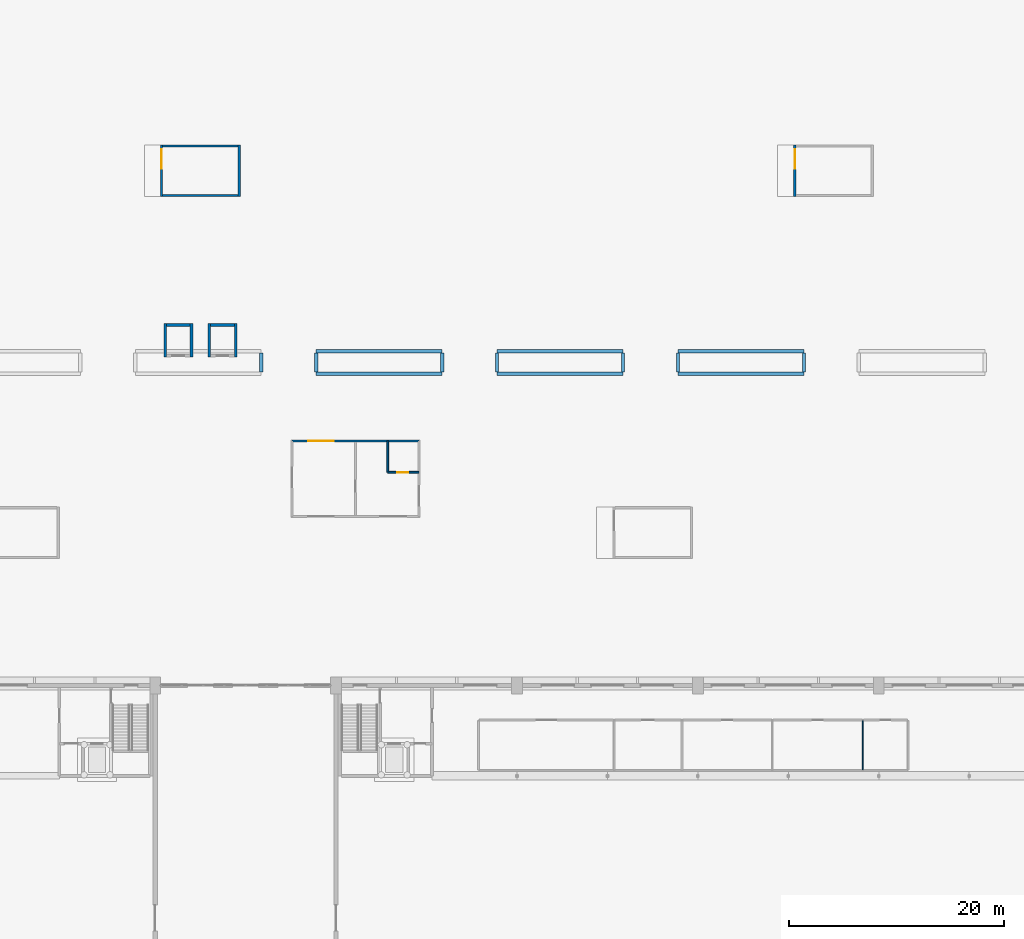
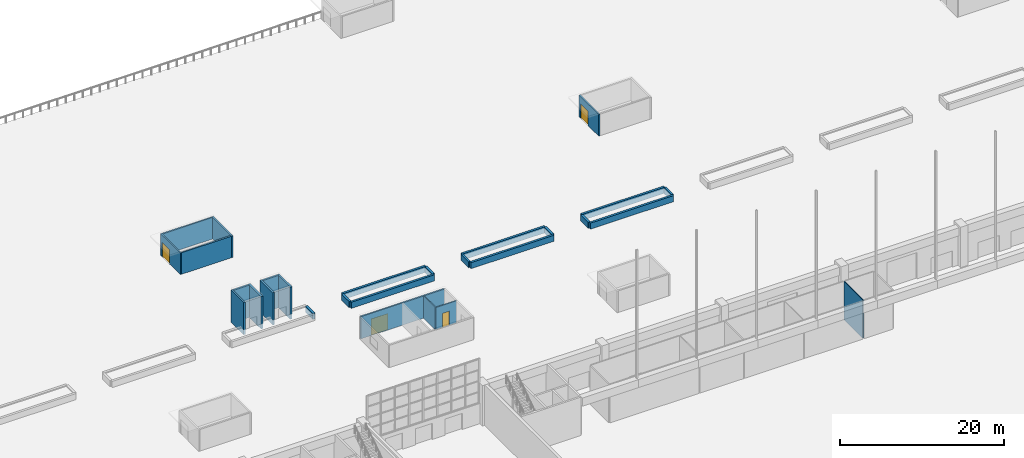
# One storey, part 121 of 210: 28 walls, 4 doors, 4 openings.
"""IFC4 building model written with IfcOpenShell, lengths in metres."""

from ifc_helpers import new_model, si_unit, direction, frame, frame_2d, origin, place, context, subcontext, project, spatial, rectangle, extrude, material, layer, layer_set, type_object, element, fill, save


model = new_model("IFC4")

# Units and contexts
model_context = context("Model", 3, precision=1e-05, world=origin(), true_north=direction((0.0, 1.0)))
body_context = subcontext(model_context, "Body", "Model", "MODEL_VIEW")
ifc_project = project(units=[si_unit("LENGTHUNIT", "METRE"), si_unit("AREAUNIT", "SQUARE_METRE"), si_unit("VOLUMEUNIT", "CUBIC_METRE"), si_unit("PLANEANGLEUNIT", "RADIAN"), si_unit("MASSUNIT", "GRAM", prefix="KILO")], contexts=[model_context])

# Site, building, storey
site_placement = place(None, origin())
site = spatial("IfcSite", under=ifc_project, at=site_placement, CompositionType="ELEMENT")
building_placement = place(site_placement, origin())
building = spatial("IfcBuilding", under=site, at=building_placement, Name="Rain Tree Exposition and Congress Centre", CompositionType="ELEMENT")
storey_placement = place(building_placement, origin())
storey = spatial("IfcBuildingStorey", under=building, at=storey_placement, Name="L00", CompositionType="ELEMENT", Elevation=0.0)

# Wall, opening, door
ifc_material_1 = material(Name="Concrete C40/50", Category="concrete")
ifc_layer_1 = layer(ifc_material_1, 0.199951171875)
ifc_layer_set_1 = layer_set([ifc_layer_1], Name="Concrete C40/50")
wall_type_1 = type_object("IfcWallType", Name="Control office wall 200", PredefinedType="SOLIDWALL", material=ifc_layer_set_1)
wall_1_placement = place(storey_placement, frame((138.699951171875, 224.300048828125, 0.0), z_axis=(0.0, 0.0, 1.0), x_axis=(1.0, 0.0, 0.0)))
wall_1 = element("IfcWall", 1, at=wall_1_placement, inside=storey, type_object=wall_type_1, Name="Control office north wall", PredefinedType="SOLIDWALL", context=body_context, shape_type="SweptSolid", body=[
    extrude(rectangle(XDim=11.800048828125, YDim=0.199951171875, at=frame_2d((5.89990234375, 0.0))), origin(), (0.0, 0.0, 1.0), 3.300048828125),
])
opening_1_placement = place(wall_1_placement, frame((1.5, 0.0, 0.0)))
opening_1 = element("IfcOpeningElement", 2, at=opening_1_placement, cuts=wall_1, Name="Opening DS813", PredefinedType="OPENING", context=body_context, shape_type="SweptSolid", body=[
    extrude(rectangle(XDim=2.39990234375, YDim=2.39990234375, at=frame_2d((1.199951171875, 1.199951171875))), frame((0.0, 0.10009765625, 0.0), z_axis=(0.0, -1.0, 0.0), x_axis=(1.0, 0.0, 0.0)), (0.0, 0.0, 1.0), 0.199951171875),
])
ifc_material_2 = material(Name="Aluminium and glass", Category="aluminium")
door_type_1 = type_object("IfcDoorType", Name="Control office entrance door 2400x2400", OperationType="DOUBLE_DOOR_SINGLE_SWING", PredefinedType="DOOR", material=ifc_material_2)
door_1_placement = place(opening_1_placement, origin())
door_1 = element("IfcDoor", 3, at=door_1_placement, inside=storey, type_object=door_type_1, Name="DS813", OperationType="DOUBLE_DOOR_SINGLE_SWING", OverallHeight=2.39990234375, OverallWidth=2.39990234375, PredefinedType="DOOR", context=body_context, shape_type="SweptSolid", body=[
    extrude(rectangle(XDim=2.39990234375, YDim=2.39990234375, at=frame_2d((1.199951171875, 1.199951171875))), frame((0.0, 0.02490234375, 0.0), z_axis=(0.0, -1.0, 0.0), x_axis=(1.0, 0.0, 0.0)), (0.0, 0.0, 1.0), 0.050048828125),
])
fill(opening_1, door_1)

ifc_material_3 = material(Name="Concrete C40/50", Category="concrete")
ifc_layer_2 = layer(ifc_material_3, 0.199951171875)
ifc_layer_set_2 = layer_set([ifc_layer_2], Name="Concrete C40/50")
wall_type_2 = type_object("IfcWallType", Name="Exit stair wall 200", PredefinedType="PARTITIONING", material=ifc_layer_set_2)
wall_2_placement = place(storey_placement, frame((126.60009765625, 247.0, 0.0), z_axis=(0.0, 0.0, 1.0), x_axis=(0.0, 1.0, 0.0)))
wall_2 = element("IfcWall", 4, at=wall_2_placement, inside=storey, type_object=wall_type_2, Name="Exit stair N06 wall west", PredefinedType="SOLIDWALL", context=body_context, shape_type="SweptSolid", body=[
    extrude(rectangle(XDim=4.800048828125, YDim=0.199951171875, at=frame_2d((2.39990234375, 0.0))), origin(), (0.0, 0.0, 1.0), 3.199951171875),
])
opening_2_placement = place(wall_2_placement, frame((2.60009765625, 0.0, 0.0)))
opening_2 = element("IfcOpeningElement", 5, at=opening_2_placement, cuts=wall_2, Name="Opening DS150", PredefinedType="OPENING", context=body_context, shape_type="SweptSolid", body=[
    extrude(rectangle(XDim=1.800048828125, YDim=2.10009765625, at=frame_2d((0.89990234375, 1.050048828125))), frame((0.0, 0.10009765625, 0.0), z_axis=(0.0, -1.0, 0.0), x_axis=(1.0, 0.0, 0.0)), (0.0, 0.0, 1.0), 0.199951171875),
])
ifc_material_4 = material(Name="Powder-coated steel", Category="steel")
door_type_2 = type_object("IfcDoorType", Name="Exit stair deck door 1800x2100", OperationType="NOTDEFINED", PredefinedType="DOOR", material=ifc_material_4)
door_2_placement = place(opening_2_placement, origin())
door_2 = element("IfcDoor", 6, at=door_2_placement, inside=storey, type_object=door_type_2, Name="Exit stair N06 door L00", OperationType="SINGLE_SWING_LEFT", OverallHeight=2.10009765625, OverallWidth=1.800048828125, PredefinedType="DOOR", context=body_context, shape_type="SweptSolid", body=[
    extrude(rectangle(XDim=1.800048828125, YDim=2.10009765625, at=frame_2d((0.89990234375, 1.050048828125))), frame((0.0, 0.02490234375, 0.0), z_axis=(0.0, -1.0, 0.0), x_axis=(1.0, 0.0, 0.0)), (0.0, 0.0, 1.0), 0.050048828125),
])
fill(opening_2, door_2)

# Walls
wall_3_placement = place(storey_placement, frame((133.800048828125, 247.0, 0.0), z_axis=(0.0, 0.0, 1.0), x_axis=(0.0, 1.0, 0.0)))
element("IfcWall", 7, at=wall_3_placement, inside=storey, type_object=wall_type_2, Name="Exit stair N06 wall east", PredefinedType="SOLIDWALL", context=body_context, shape_type="SweptSolid", body=[
    extrude(rectangle(XDim=4.800048828125, YDim=0.199951171875, at=frame_2d((2.39990234375, 0.0))), origin(), (0.0, 0.0, 1.0), 3.199951171875),
])
for number, where, z_axis, x_axis, name in (
    (8, (126.699951171875, 247.10009765625, 0.0), (0.0, 0.0, 1.0), (1.0, 0.0, 0.0), "Exit stair N06 wall south"),
    (9, (126.699951171875, 251.699951171875, 0.0), (0.0, 0.0, 1.0), (1.0, 0.0, 0.0), "Exit stair N06 wall north"),
):
    element("IfcWall", number, at=place(storey_placement, frame(where, z_axis=z_axis, x_axis=x_axis)), inside=storey, type_object=wall_type_2, Name=name, PredefinedType="SOLIDWALL", context=body_context, shape_type="SweptSolid", body=[
        extrude(rectangle(XDim=7.0, YDim=0.199951171875, at=frame_2d((3.5, 0.0))), origin(), (0.0, 0.0, 1.0), 3.199951171875),
    ])

# Wall, opening, door
wall_4_placement = place(storey_placement, frame((185.39990234375, 247.0, 0.0), z_axis=(0.0, 0.0, 1.0), x_axis=(0.0, 1.0, 0.0)))
wall_4 = element("IfcWall", 10, at=wall_4_placement, inside=storey, type_object=wall_type_2, Name="Exit stair N07 wall west", PredefinedType="SOLIDWALL", context=body_context, shape_type="SweptSolid", body=[
    extrude(rectangle(XDim=4.800048828125, YDim=0.199951171875, at=frame_2d((2.39990234375, 0.0))), origin(), (0.0, 0.0, 1.0), 3.199951171875),
])
opening_3_placement = place(wall_4_placement, frame((2.60009765625, 0.0, 0.0)))
opening_3 = element("IfcOpeningElement", 11, at=opening_3_placement, cuts=wall_4, Name="Opening DS152", PredefinedType="OPENING", context=body_context, shape_type="SweptSolid", body=[
    extrude(rectangle(XDim=1.800048828125, YDim=2.10009765625, at=frame_2d((0.89990234375, 1.050048828125))), frame((0.0, 0.10009765625, 0.0), z_axis=(0.0, -1.0, 0.0), x_axis=(1.0, 0.0, 0.0)), (0.0, 0.0, 1.0), 0.199951171875),
])
door_3_placement = place(opening_3_placement, origin())
door_3 = element("IfcDoor", 12, at=door_3_placement, inside=storey, type_object=door_type_2, Name="Exit stair N07 door L00", OperationType="SINGLE_SWING_LEFT", OverallHeight=2.10009765625, OverallWidth=1.800048828125, PredefinedType="DOOR", context=body_context, shape_type="SweptSolid", body=[
    extrude(rectangle(XDim=1.800048828125, YDim=2.10009765625, at=frame_2d((0.89990234375, 1.050048828125))), frame((0.0, 0.02490234375, 0.0), z_axis=(0.0, -1.0, 0.0), x_axis=(1.0, 0.0, 0.0)), (0.0, 0.0, 1.0), 0.050048828125),
])
fill(opening_3, door_3)

# Walls
ifc_material_5 = material(Name="Concrete C40/50", Category="concrete")
ifc_layer_3 = layer(ifc_material_5, 0.25)
ifc_layer_set_3 = layer_set([ifc_layer_3], Name="Concrete C40/50")
wall_type_3 = type_object("IfcWallType", Name="Lift shaft wall 250", PredefinedType="SHEAR", material=ifc_layer_set_3)
for number, where, z_axis, x_axis, name in (
    (13, (126.925048828125, 232.10009765625, 0.0), (0.0, 0.0, 1.0), (0.0, 1.0, 0.0), "Lift N1 shaft wall west"),
    (14, (129.375, 232.10009765625, 0.0), (0.0, 0.0, 1.0), (0.0, 1.0, 0.0), "Lift N1 shaft wall east"),
):
    element("IfcWall", number, at=place(storey_placement, frame(where, z_axis=z_axis, x_axis=x_axis)), inside=storey, type_object=wall_type_3, Name=name, PredefinedType="SHEAR", context=body_context, shape_type="SweptSolid", body=[
        extrude(rectangle(XDim=3.099853515625, YDim=0.25, at=frame_2d((1.5498046875, 0.0))), origin(), (0.0, 0.0, 1.0), 4.800048828125),
    ])
wall_5_placement = place(storey_placement, frame((127.050048828125, 235.074951171875, 0.0), z_axis=(0.0, 0.0, 1.0), x_axis=(1.0, 0.0, 0.0)))
element("IfcWall", 15, at=wall_5_placement, inside=storey, type_object=wall_type_3, Name="Lift N1 shaft wall north", PredefinedType="SHEAR", context=body_context, shape_type="SweptSolid", body=[
    extrude(rectangle(XDim=2.199951171875, YDim=0.25, at=frame_2d((1.10009765625, 0.0))), origin(), (0.0, 0.0, 1.0), 4.800048828125),
])
for number, where, z_axis, x_axis, name in (
    (16, (131.02490234375, 232.10009765625, 0.0), (0.0, 0.0, 1.0), (0.0, 1.0, 0.0), "Lift N2 shaft wall west"),
    (17, (133.47509765625, 232.10009765625, 0.0), (0.0, 0.0, 1.0), (0.0, 1.0, 0.0), "Lift N2 shaft wall east"),
):
    element("IfcWall", number, at=place(storey_placement, frame(where, z_axis=z_axis, x_axis=x_axis)), inside=storey, type_object=wall_type_3, Name=name, PredefinedType="SHEAR", context=body_context, shape_type="SweptSolid", body=[
        extrude(rectangle(XDim=3.099853515625, YDim=0.25, at=frame_2d((1.5498046875, 0.0))), origin(), (0.0, 0.0, 1.0), 4.800048828125),
    ])
wall_6_placement = place(storey_placement, frame((131.14990234375, 235.074951171875, 0.0), z_axis=(0.0, 0.0, 1.0), x_axis=(1.0, 0.0, 0.0)))
element("IfcWall", 18, at=wall_6_placement, inside=storey, type_object=wall_type_3, Name="Lift N2 shaft wall north", PredefinedType="SHEAR", context=body_context, shape_type="SweptSolid", body=[
    extrude(rectangle(XDim=2.2001953125, YDim=0.25, at=frame_2d((1.10009765625, 0.0))), origin(), (0.0, 0.0, 1.0), 4.800048828125),
])

# Wall, opening, door
ifc_material_6 = material(Name="Concrete block C12", Category="concrete")
ifc_layer_4 = layer(ifc_material_6, 0.14990234375)
ifc_layer_set_4 = layer_set([ifc_layer_4], Name="Concrete block C12")
wall_type_4 = type_object("IfcWallType", Name="Office partition 150 logistics", PredefinedType="PARTITIONING", material=ifc_layer_set_4)
wall_7_placement = place(storey_placement, frame((147.60009765625, 221.39990234375, 0.0), z_axis=(0.0, 0.0, 1.0), x_axis=(1.0, 0.0, 0.0)))
wall_7 = element("IfcWall", 19, at=wall_7_placement, inside=storey, type_object=wall_type_4, Name="Drivers' WC wall", PredefinedType="PARTITIONING", context=body_context, shape_type="SweptSolid", body=[
    extrude(rectangle(XDim=2.89990234375, YDim=0.14990234375, at=frame_2d((1.449951171875, 0.0))), origin(), (0.0, 0.0, 1.0), 3.300048828125),
])
opening_4_placement = place(wall_7_placement, frame((0.89990234375, 0.0, 0.0)))
opening_4 = element("IfcOpeningElement", 20, at=opening_4_placement, cuts=wall_7, Name="Opening DS815", PredefinedType="OPENING", context=body_context, shape_type="SweptSolid", body=[
    extrude(rectangle(XDim=1.0, YDim=2.10009765625, at=frame_2d((0.5, 1.050048828125))), frame((0.0, 0.074951171875, 0.0), z_axis=(0.0, -1.0, 0.0), x_axis=(1.0, 0.0, 0.0)), (0.0, 0.0, 1.0), 0.14990234375),
])
ifc_material_7 = material(Name="Timber with steel frame", Category="steel")
door_type_3 = type_object("IfcDoorType", Name="Control office single door 1000x2100", OperationType="NOTDEFINED", PredefinedType="DOOR", material=ifc_material_7)
door_4_placement = place(opening_4_placement, origin())
door_4 = element("IfcDoor", 21, at=door_4_placement, inside=storey, type_object=door_type_3, Name="DS815", OperationType="SINGLE_SWING_LEFT", OverallHeight=2.10009765625, OverallWidth=1.0, PredefinedType="DOOR", context=body_context, shape_type="SweptSolid", body=[
    extrude(rectangle(XDim=1.0, YDim=2.10009765625, at=frame_2d((0.5, 1.050048828125))), frame((0.0, 0.02490234375, 0.0), z_axis=(0.0, -1.0, 0.0), x_axis=(1.0, 0.0, 0.0)), (0.0, 0.0, 1.0), 0.050048828125),
])
fill(opening_4, door_4)

# Walls
wall_8_placement = place(storey_placement, frame((147.60009765625, 221.39990234375, 0.0), z_axis=(0.0, 0.0, 1.0), x_axis=(0.0, 1.0, 0.0)))
element("IfcWall", 22, at=wall_8_placement, inside=storey, type_object=wall_type_4, Name="Drivers' WC wall", PredefinedType="PARTITIONING", context=body_context, shape_type="SweptSolid", body=[
    extrude(rectangle(XDim=2.900146484375, YDim=0.14990234375, at=frame_2d((1.4501953125, 0.0))), origin(), (0.0, 0.0, 1.0), 3.300048828125),
])
ifc_material_8 = material(Name="Concrete C40/50", Category="concrete")
ifc_layer_5 = layer(ifc_material_8, 0.300048828125)
ifc_layer_set_5 = layer_set([ifc_layer_5], Name="Concrete C40/50")
wall_type_5 = type_object("IfcWallType", Name="Precast planter wall 300", PredefinedType="SOLIDWALL", material=ifc_layer_set_5)
wall_9_placement = place(storey_placement, frame((135.85009765625, 230.699951171875, 0.0), z_axis=(0.0, 0.0, 1.0), x_axis=(0.0, 1.0, 0.0)))
element("IfcWall", 23, at=wall_9_placement, inside=storey, type_object=wall_type_5, Name="Dock apron planter wall", PredefinedType="SOLIDWALL", context=body_context, shape_type="SweptSolid", body=[
    extrude(rectangle(XDim=1.800048828125, YDim=0.300048828125, at=frame_2d((0.89990234375, 0.0))), origin(), (0.0, 0.0, 1.0), 0.89990234375),
])
for number, where, z_axis, x_axis, name in (
    (24, (140.949951171875, 230.550048828125, 0.0), (0.0, 0.0, 1.0), (1.0, 0.0, 0.0), "Dock apron planter wall"),
    (25, (140.949951171875, 232.64990234375, 0.0), (0.0, 0.0, 1.0), (1.0, 0.0, 0.0), "Dock apron planter wall"),
):
    element("IfcWall", number, at=place(storey_placement, frame(where, z_axis=z_axis, x_axis=x_axis)), inside=storey, type_object=wall_type_5, Name=name, PredefinedType="SOLIDWALL", context=body_context, shape_type="SweptSolid", body=[
        extrude(rectangle(XDim=11.699951171875, YDim=0.300048828125, at=frame_2d((5.85009765625, 0.0))), origin(), (0.0, 0.0, 1.0), 0.89990234375),
    ])
for number, where, z_axis, x_axis, name in (
    (26, (140.949951171875, 230.699951171875, 0.0), (0.0, 0.0, 1.0), (0.0, 1.0, 0.0), "Dock apron planter wall"),
    (27, (152.64990234375, 230.699951171875, 0.0), (0.0, 0.0, 1.0), (0.0, 1.0, 0.0), "Dock apron planter wall"),
):
    element("IfcWall", number, at=place(storey_placement, frame(where, z_axis=z_axis, x_axis=x_axis)), inside=storey, type_object=wall_type_5, Name=name, PredefinedType="SOLIDWALL", context=body_context, shape_type="SweptSolid", body=[
        extrude(rectangle(XDim=1.800048828125, YDim=0.300048828125, at=frame_2d((0.89990234375, 0.0))), origin(), (0.0, 0.0, 1.0), 0.89990234375),
    ])
for number, where, z_axis, x_axis, name in (
    (28, (157.75, 230.550048828125, 0.0), (0.0, 0.0, 1.0), (1.0, 0.0, 0.0), "Dock apron planter wall"),
    (29, (157.75, 232.64990234375, 0.0), (0.0, 0.0, 1.0), (1.0, 0.0, 0.0), "Dock apron planter wall"),
):
    element("IfcWall", number, at=place(storey_placement, frame(where, z_axis=z_axis, x_axis=x_axis)), inside=storey, type_object=wall_type_5, Name=name, PredefinedType="SOLIDWALL", context=body_context, shape_type="SweptSolid", body=[
        extrude(rectangle(XDim=11.699951171875, YDim=0.300048828125, at=frame_2d((5.85009765625, 0.0))), origin(), (0.0, 0.0, 1.0), 0.89990234375),
    ])
for number, where, z_axis, x_axis, name in (
    (30, (157.75, 230.699951171875, 0.0), (0.0, 0.0, 1.0), (0.0, 1.0, 0.0), "Dock apron planter wall"),
    (31, (169.449951171875, 230.699951171875, 0.0), (0.0, 0.0, 1.0), (0.0, 1.0, 0.0), "Dock apron planter wall"),
):
    element("IfcWall", number, at=place(storey_placement, frame(where, z_axis=z_axis, x_axis=x_axis)), inside=storey, type_object=wall_type_5, Name=name, PredefinedType="SOLIDWALL", context=body_context, shape_type="SweptSolid", body=[
        extrude(rectangle(XDim=1.800048828125, YDim=0.300048828125, at=frame_2d((0.89990234375, 0.0))), origin(), (0.0, 0.0, 1.0), 0.89990234375),
    ])
for number, where, z_axis, x_axis, name in (
    (32, (174.550048828125, 230.550048828125, 0.0), (0.0, 0.0, 1.0), (1.0, 0.0, 0.0), "Dock apron planter wall"),
    (33, (174.550048828125, 232.64990234375, 0.0), (0.0, 0.0, 1.0), (1.0, 0.0, 0.0), "Dock apron planter wall"),
):
    element("IfcWall", number, at=place(storey_placement, frame(where, z_axis=z_axis, x_axis=x_axis)), inside=storey, type_object=wall_type_5, Name=name, PredefinedType="SOLIDWALL", context=body_context, shape_type="SweptSolid", body=[
        extrude(rectangle(XDim=11.699951171875, YDim=0.300048828125, at=frame_2d((5.85009765625, 0.0))), origin(), (0.0, 0.0, 1.0), 0.89990234375),
    ])
for number, where, z_axis, x_axis, name in (
    (34, (174.550048828125, 230.699951171875, 0.0), (0.0, 0.0, 1.0), (0.0, 1.0, 0.0), "Dock apron planter wall"),
    (35, (186.25, 230.699951171875, 0.0), (0.0, 0.0, 1.0), (0.0, 1.0, 0.0), "Dock apron planter wall"),
):
    element("IfcWall", number, at=place(storey_placement, frame(where, z_axis=z_axis, x_axis=x_axis)), inside=storey, type_object=wall_type_5, Name=name, PredefinedType="SOLIDWALL", context=body_context, shape_type="SweptSolid", body=[
        extrude(rectangle(XDim=1.800048828125, YDim=0.300048828125, at=frame_2d((0.89990234375, 0.0))), origin(), (0.0, 0.0, 1.0), 0.89990234375),
    ])
ifc_material_9 = material(Name="Concrete C25/30", Category="concrete")
ifc_layer_6 = layer(ifc_material_9, 0.10009765625)
ifc_layer_set_6 = layer_set([ifc_layer_6], Name="Concrete C25/30")
wall_type_6 = type_object("IfcWallType", Name="Wet room partition 100", PredefinedType="PARTITIONING", material=ifc_layer_set_6)
wall_10_placement = place(storey_placement, frame((191.72509765625, 193.77490234375, 0.0), z_axis=(0.0, 0.0, 1.0), x_axis=(0.0, 1.0, 0.0)))
element("IfcWall", 36, at=wall_10_placement, inside=storey, type_object=wall_type_6, Name="Visitor room party wall 5", PredefinedType="PARTITIONING", context=body_context, shape_type="SweptSolid", body=[
    extrude(rectangle(XDim=4.550048828125, YDim=0.10009765625, at=frame_2d((2.27490234375, 0.0))), origin(), (0.0, 0.0, 1.0), 5.699951171875),
])

save(model, "model.ifc")
